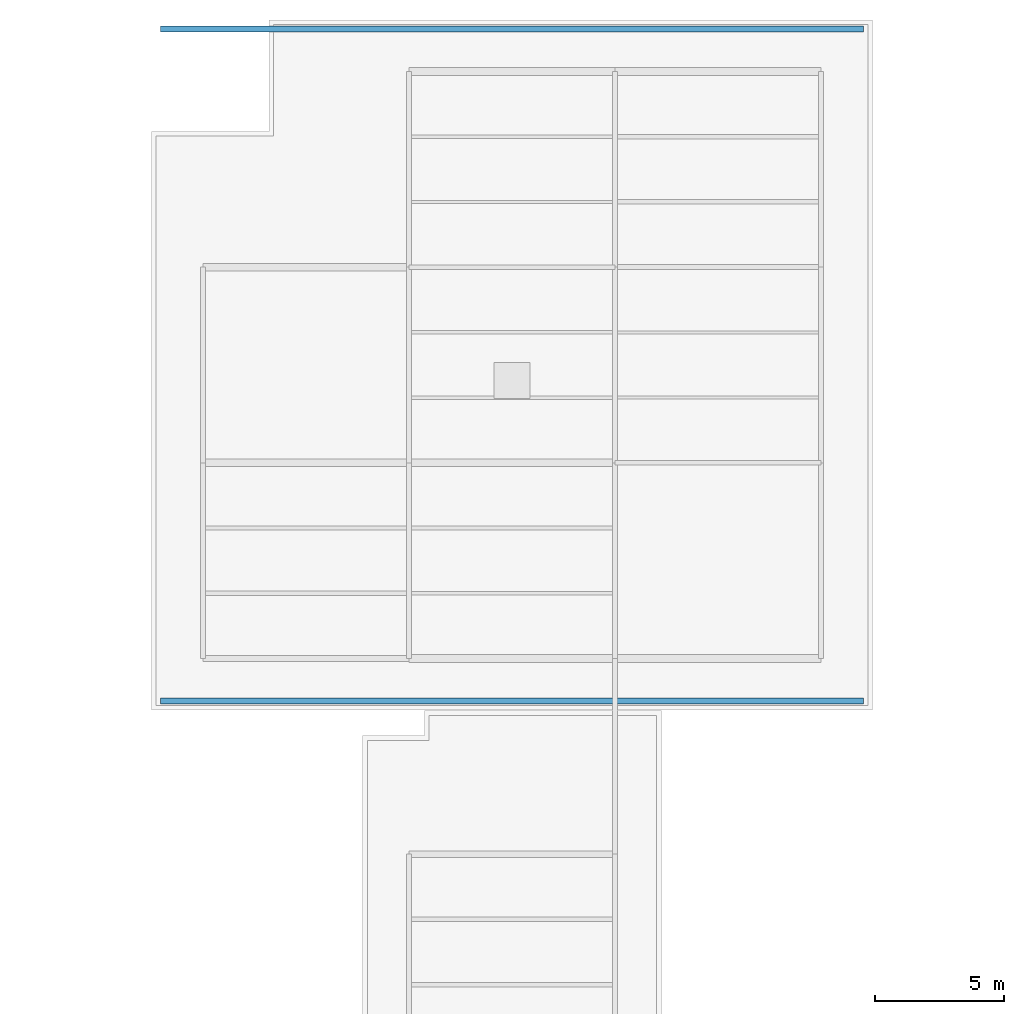
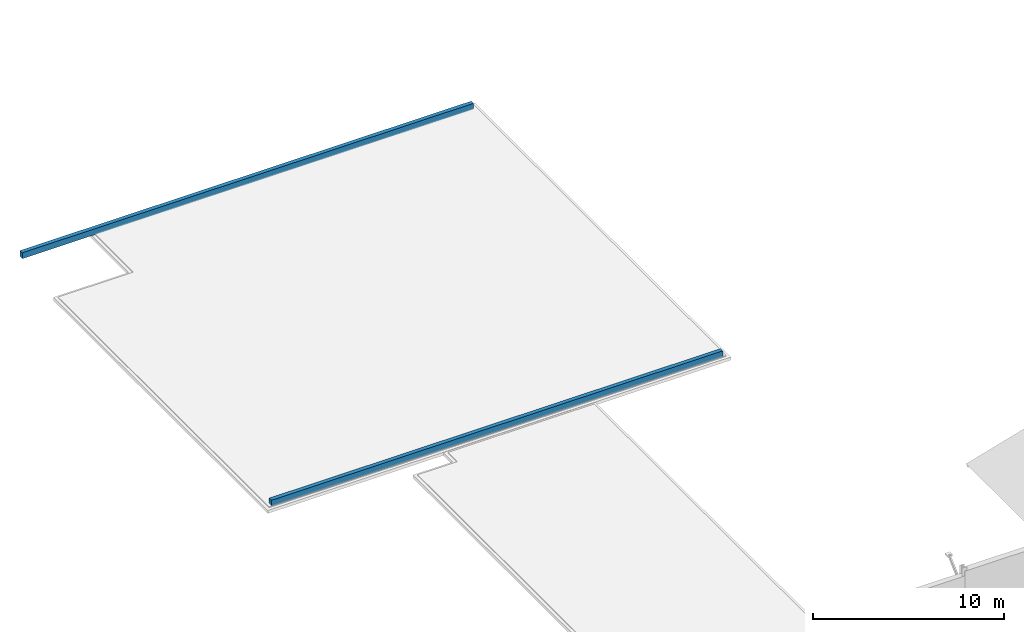
# One storey, part 84 of 93: 2 walls.
"""IFC4 building model written with IfcOpenShell, lengths in metres."""

from ifc_helpers import new_model, si_unit, direction, frame, frame_2d, origin, place, context, subcontext, project, spatial, rectangle, extrude, material, layer, layer_set, type_object, element, save


model = new_model("IFC4")

# Units and contexts
model_context = context("Model", 3, precision=1e-05, world=origin(), true_north=direction((0.0, 1.0)))
body_context = subcontext(model_context, "Body", "Model", "MODEL_VIEW")
ifc_project = project(units=[si_unit("LENGTHUNIT", "METRE"), si_unit("AREAUNIT", "SQUARE_METRE"), si_unit("VOLUMEUNIT", "CUBIC_METRE"), si_unit("PLANEANGLEUNIT", "RADIAN"), si_unit("MASSUNIT", "GRAM", prefix="KILO")], contexts=[model_context])

# Site, building, storey
site_placement = place(None, origin())
site = spatial("IfcSite", under=ifc_project, at=site_placement, CompositionType="ELEMENT")
building_placement = place(site_placement, origin())
building = spatial("IfcBuilding", under=site, at=building_placement, Name="Vekula Escarpment Museum", CompositionType="ELEMENT")
storey_placement = place(building_placement, frame((0.0, 0.0, 22.199951171875)))
storey = spatial("IfcBuildingStorey", under=building, at=storey_placement, Name="L05", CompositionType="ELEMENT", Elevation=22.199951171875)

# Walls
ifc_material = material(Name="Precast concrete C40/50", Category="concrete")
ifc_layer = layer(ifc_material, 0.239990234375)
ifc_layer_set = layer_set([ifc_layer], Name="Precast concrete C40/50")
wall_type = type_object("IfcWallType", Name="WL-PAR-240", PredefinedType="PARAPET", material=ifc_layer_set)
for number, where, z_axis, x_axis, name in (
    (1, (30.35009765625, 111.550048828125, 0.0), (0.0, 0.0, 1.0), (1.0, 0.0, 0.0), "Sacak Eave Fascia Coping L05-001"),
    (2, (30.35009765625, 137.64990234375, 0.0), (0.0, 0.0, 1.0), (1.0, 0.0, 0.0), "Sacak Eave Fascia Coping L05-002"),
):
    element("IfcWall", number, at=place(storey_placement, frame(where, z_axis=z_axis, x_axis=x_axis)), inside=storey, type_object=wall_type, Name=name, PredefinedType="PARAPET", context=body_context, shape_type="SweptSolid", body=[
        extrude(rectangle(XDim=27.2998046875, YDim=0.239990234375, at=frame_2d((13.64990234375, 0.0))), origin(), (0.0, 0.0, 1.0), 0.380126953125),
    ])

save(model, "model.ifc")
